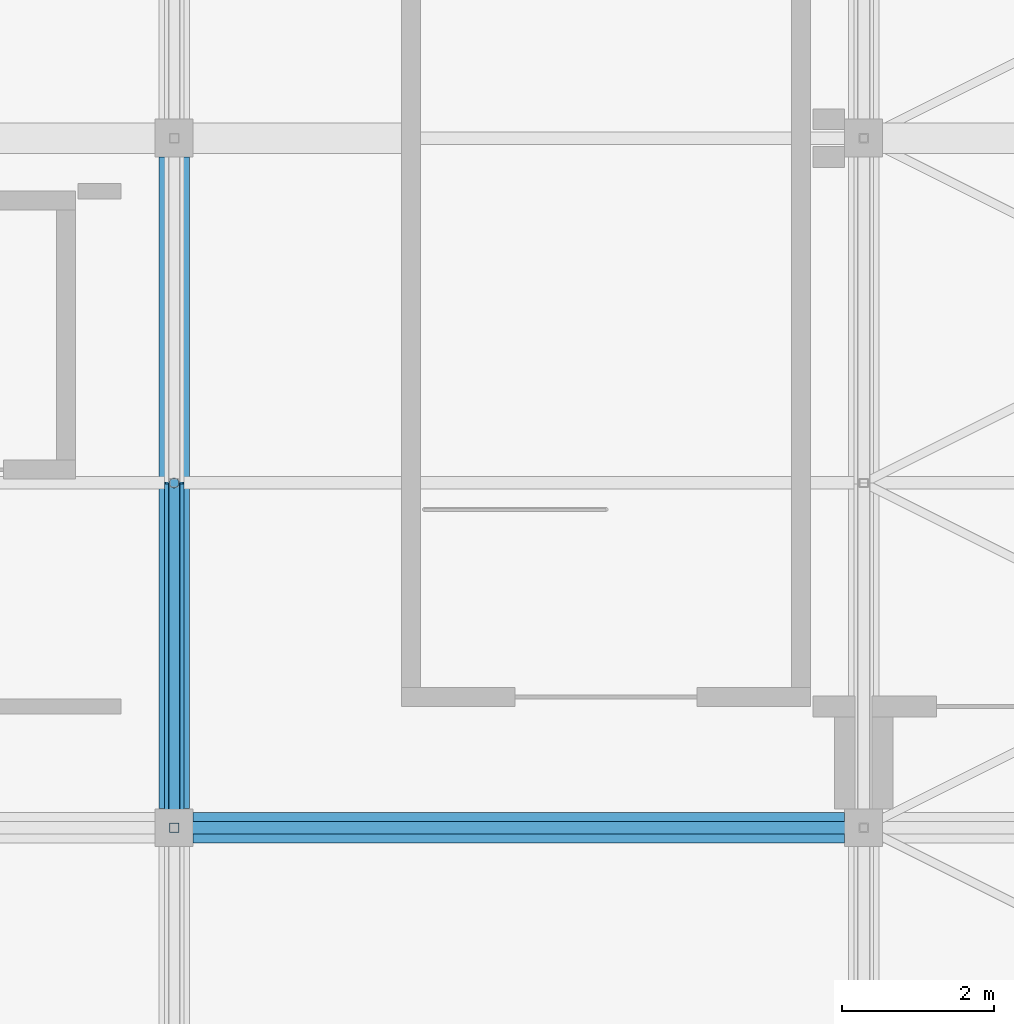
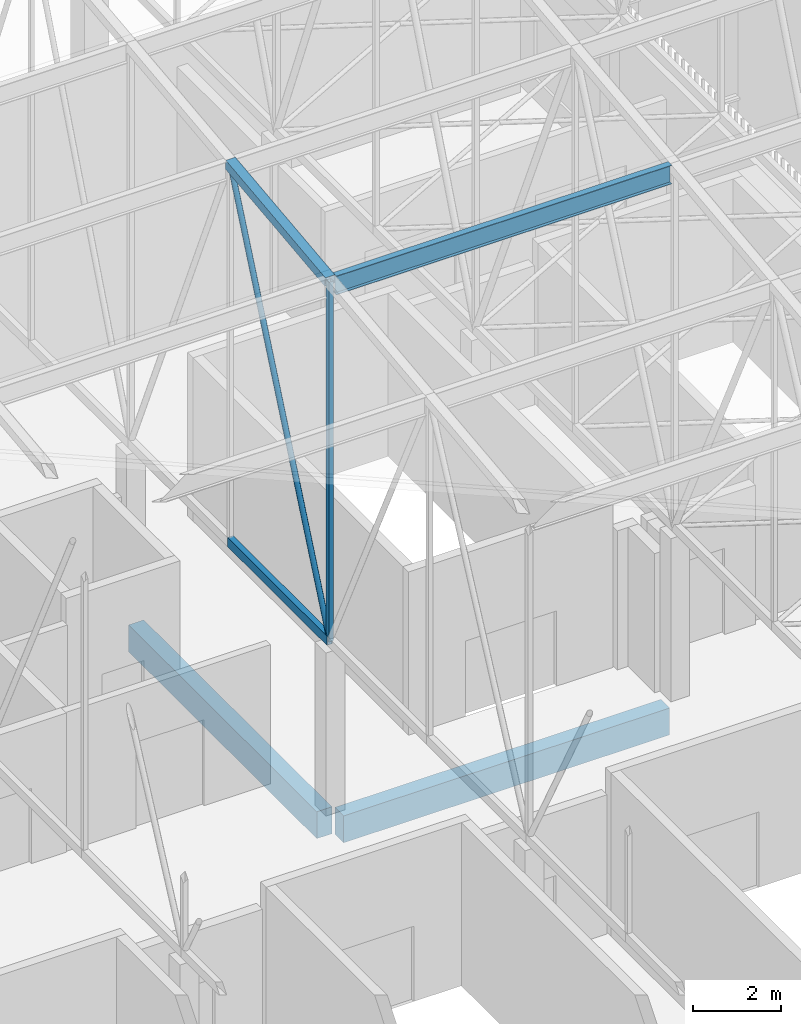
# One storey, part 339 of 500: 5 members, 2 beams.
"""IFC4 building model written with IfcOpenShell, lengths in metres."""

from ifc_helpers import new_model, si_unit, direction, frame, origin, origin_2d, place, context, subcontext, project, spatial, rectangle, hollow_rectangle, hollow_circle, i_section, extrude, material, material_profile, profile_set, type_object, element, save


model = new_model("IFC4")

# Units and contexts
model_context = context("Model", 3, precision=1e-05, world=origin(), true_north=direction((0.0, 1.0)))
body_context = subcontext(model_context, "Body", "Model", "MODEL_VIEW")
ifc_project = project(units=[si_unit("LENGTHUNIT", "METRE"), si_unit("AREAUNIT", "SQUARE_METRE"), si_unit("VOLUMEUNIT", "CUBIC_METRE"), si_unit("PLANEANGLEUNIT", "RADIAN"), si_unit("MASSUNIT", "GRAM", prefix="KILO")], contexts=[model_context])

# Site, building, storey
site_placement = place(None, origin())
site = spatial("IfcSite", under=ifc_project, at=site_placement, CompositionType="ELEMENT")
building_placement = place(site_placement, origin())
building = spatial("IfcBuilding", under=site, at=building_placement, Name="Shirokan Park Arena", CompositionType="ELEMENT")
storey_placement = place(building_placement, frame((0.0, 0.0, 29.1201171875)))
storey = spatial("IfcBuildingStorey", under=building, at=storey_placement, Name="L06", CompositionType="ELEMENT", Elevation=29.1201171875)

# Members
ifc_material_1 = material(Name="Steel ASTM A500 Grade C", Category="steel")
ifc_material_profile_1 = material_profile(ifc_material_1, hollow_rectangle(XDim=0.152099609375, YDim=0.25390625, WallThickness=0.009521484375, at=origin_2d()), Name="HSS254X152.4X9.5")
ifc_profile_set_1 = profile_set([ifc_material_profile_1], Name="Steel ASTM A500 Grade C")
member_type_1 = type_object("IfcMemberType", Name="Bottom chord HSS254X152.4X9.5", PredefinedType="CHORD", material=ifc_profile_set_1)
member_1_placement = place(storey_placement, frame((127.39990234375, 18.199951171875, 4.677001953125), z_axis=(0.0, 1.0, 0.0), x_axis=(-1.0, 0.0, 0.0)))
element("IfcMember", 1, at=member_1_placement, inside=storey, type_object=member_type_1, Name="Truss T15 bottom chord 7", PredefinedType="CHORD", context=body_context, shape_type="SweptSolid", body=[
    extrude(hollow_rectangle(XDim=0.152099609375, YDim=0.25390625, WallThickness=0.009521484375, at=origin_2d()), origin(), (0.0, 0.0, 1.0), 4.550048828125),
])
ifc_material_2 = material(Name="Steel ASTM A992", Category="steel")
ifc_material_profile_2 = material_profile(ifc_material_2, i_section(OverallWidth=0.166015625, OverallDepth=0.528076171875, WebThickness=0.009765625, FlangeThickness=0.013671875, at=origin_2d()), Name="W530X74")
ifc_profile_set_2 = profile_set([ifc_material_profile_2], Name="Steel ASTM A992")
member_type_2 = type_object("IfcMemberType", Name="Purlin W530X74", PredefinedType="PURLIN", material=ifc_profile_set_2)
member_2_placement = place(storey_placement, frame((127.527099609375, 18.199951171875, 14.56591796875), z_axis=(1.0, 0.0, 0.0), x_axis=(0.0, 1.0, 0.0)))
element("IfcMember", 2, at=member_2_placement, inside=storey, type_object=member_type_2, Name="Purlin 7 bay 15", PredefinedType="PURLIN", context=body_context, shape_type="SweptSolid", body=[
    extrude(i_section(OverallWidth=0.166015625, OverallDepth=0.528076171875, WebThickness=0.009765625, FlangeThickness=0.013671875, at=origin_2d()), origin(), (0.0, 0.0, 1.0), 8.845947265625),
])

# Beams
ifc_material_3 = material(Name="Concrete C35", Category="concrete")
ifc_material_profile_3 = material_profile(ifc_material_3, rectangle(XDim=0.39990234375, YDim=0.75, at=origin_2d()), Name="400x750")
ifc_profile_set_3 = profile_set([ifc_material_profile_3], Name="Concrete C35")
beam_type = type_object("IfcBeamType", Name="RC girder 400x750", PredefinedType="BEAM", material=ifc_profile_set_3)
beam_1_placement = place(storey_placement, frame((127.650146484375, 18.199951171875, -0.5751953125), z_axis=(1.0, 0.0, 0.0), x_axis=(0.0, 1.0, 0.0)))
element("IfcBeam", 3, at=beam_1_placement, inside=storey, type_object=beam_type, Name="Girder 15C-16C L06", PredefinedType="BEAM", context=body_context, shape_type="SweptSolid", body=[
    extrude(rectangle(XDim=0.39990234375, YDim=0.75, at=origin_2d()), origin(), (0.0, 0.0, 1.0), 8.599853515625),
])
beam_2_placement = place(storey_placement, frame((127.39990234375, 18.4501953125, -0.5751953125), z_axis=(0.0, 1.0, 0.0), x_axis=(-1.0, 0.0, 0.0)))
element("IfcBeam", 4, at=beam_2_placement, inside=storey, type_object=beam_type, Name="Girder 15C-15D L06", PredefinedType="BEAM", context=body_context, shape_type="SweptSolid", body=[
    extrude(rectangle(XDim=0.39990234375, YDim=0.75, at=origin_2d()), origin(), (0.0, 0.0, 1.0), 8.599609375),
])

# Members
ifc_material_profile_4 = material_profile(ifc_material_1, hollow_rectangle(XDim=0.25390625, YDim=0.25390625, WallThickness=0.009521484375, at=origin_2d()), Name="HSS254X254X9.5")
ifc_profile_set_4 = profile_set([ifc_material_profile_4], Name="Steel ASTM A500 Grade C")
member_type_3 = type_object("IfcMemberType", Name="Top chord HSS254X254X9.5", PredefinedType="CHORD", material=ifc_profile_set_4)
member_3_placement = place(storey_placement, frame((127.39990234375, 18.199951171875, 14.702880859375), z_axis=(0.0, 0.993532328996, 0.113549598152), x_axis=(-1.0, 0.0, 0.0)))
element("IfcMember", 5, at=member_3_placement, inside=storey, type_object=member_type_3, Name="Truss T15 top chord 7", PredefinedType="CHORD", context=body_context, shape_type="SweptSolid", body=[
    extrude(hollow_rectangle(XDim=0.25390625, YDim=0.25390625, WallThickness=0.009521484375, at=origin_2d()), origin(), (0.0, 0.0, 1.0), 4.57958984375),
])
ifc_material_profile_5 = material_profile(ifc_material_1, hollow_circle(Radius=0.070556640625, WallThickness=0.006591796875, at=origin_2d()), Name="HSS141.3X6.6")
ifc_profile_set_5 = profile_set([ifc_material_profile_5], Name="Steel ASTM A500 Grade C")
member_type_4 = type_object("IfcMemberType", Name="Truss diagonal HSS141.3X6.6", PredefinedType="BRACE", material=ifc_profile_set_5)
member_4_placement = place(storey_placement, frame((127.39990234375, 18.199951171875, 4.677001953125), z_axis=(0.0, 0.396152605513, 0.918184683572), x_axis=(-1.0, 0.0, 0.0)))
element("IfcMember", 6, at=member_4_placement, inside=storey, type_object=member_type_4, Name="Truss T15 diagonal 7", PredefinedType="BRACE", context=body_context, shape_type="SweptSolid", body=[
    extrude(hollow_circle(Radius=0.070556640625, WallThickness=0.006591796875, at=origin_2d()), origin(), (0.0, 0.0, 1.0), 11.485595703125),
])
ifc_material_profile_6 = material_profile(ifc_material_1, hollow_rectangle(XDim=0.126953125, YDim=0.126953125, WallThickness=0.008056640625, at=origin_2d()), Name="HSS127X127X7.9")
ifc_profile_set_6 = profile_set([ifc_material_profile_6], Name="Steel ASTM A500 Grade C")
member_type_5 = type_object("IfcMemberType", Name="Truss post HSS127X127X7.9", PredefinedType="POST", material=ifc_profile_set_6)
member_5_placement = place(storey_placement, frame((127.39990234375, 18.199951171875, 4.677001953125), z_axis=(0.0, 0.0, 1.0), x_axis=(1.0, 0.0, 0.0)))
element("IfcMember", 7, at=member_5_placement, inside=storey, type_object=member_type_5, Name="Truss T15 post 7", PredefinedType="POST", context=body_context, shape_type="SweptSolid", body=[
    extrude(hollow_rectangle(XDim=0.126953125, YDim=0.126953125, WallThickness=0.008056640625, at=origin_2d()), origin(), (0.0, 0.0, 1.0), 10.02587890625),
])

save(model, "model.ifc")
